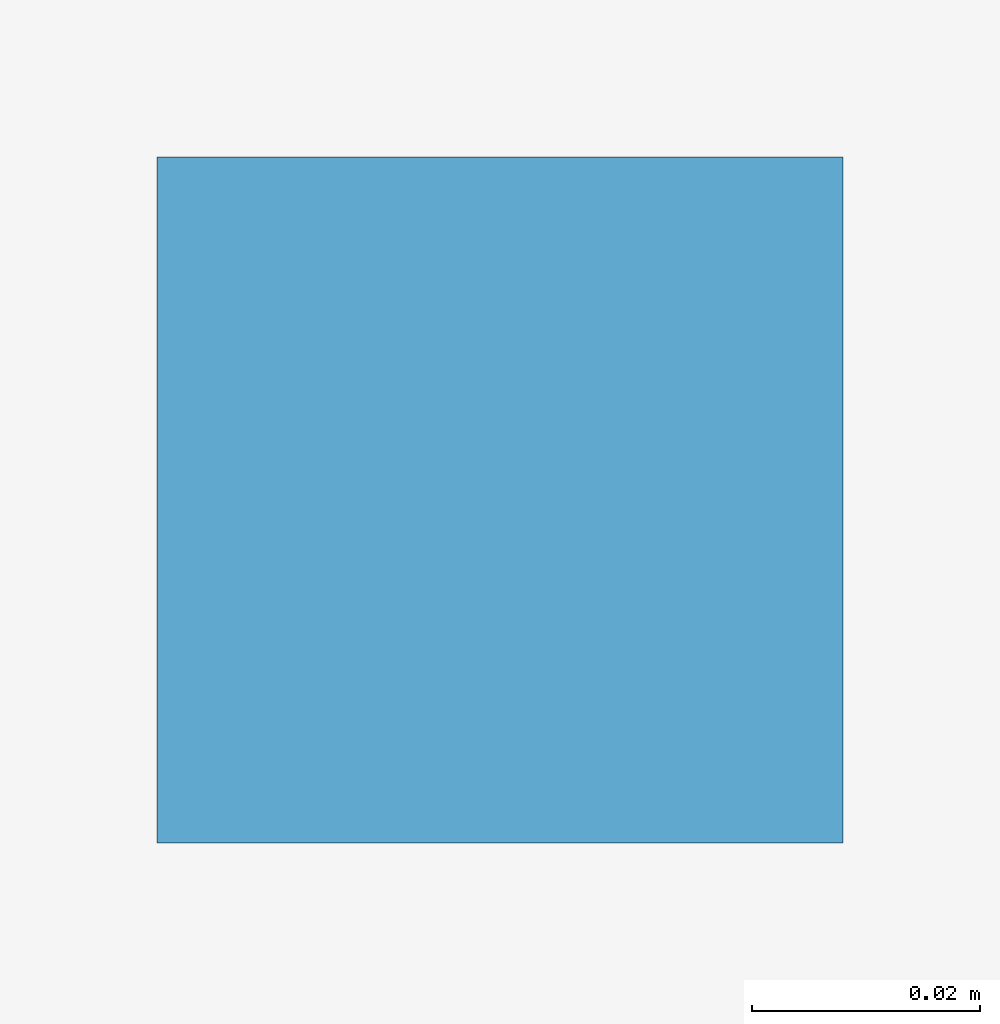
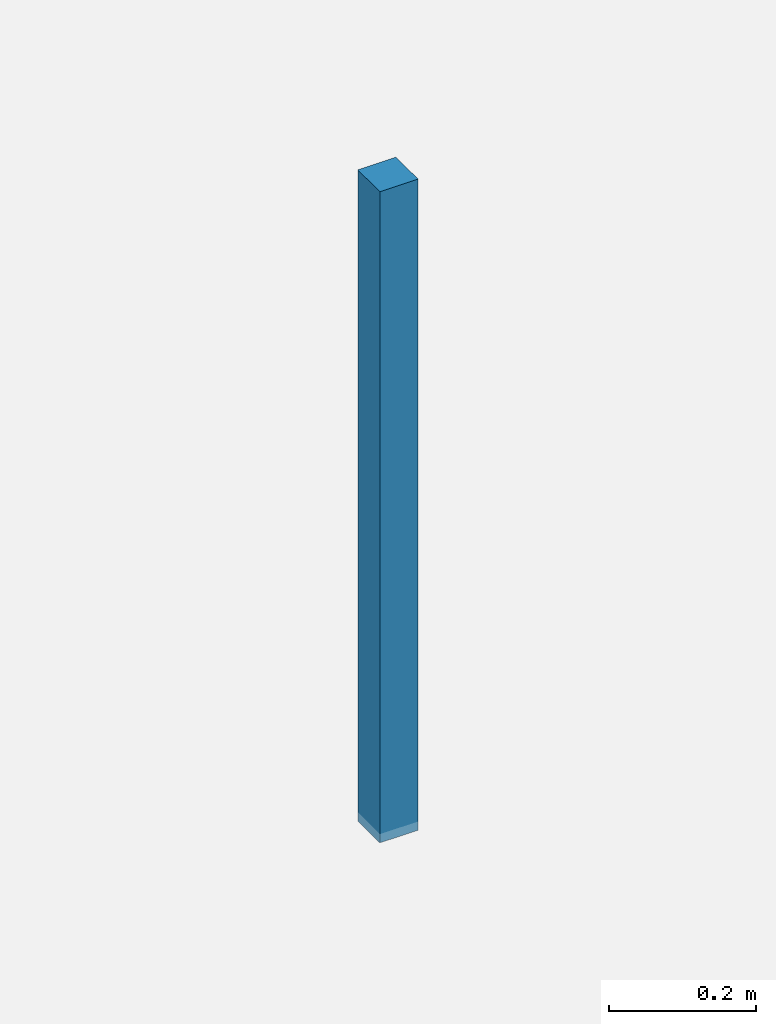
# One storey, part 77 of 91: 1 discrete accessory.
"""IFC4 building model written with IfcOpenShell, lengths in metres."""

from ifc_helpers import new_model, si_unit, direction, frame, origin, origin_2d, place, context, subcontext, project, spatial, rectangle, extrude, material, type_object, element, save


model = new_model("IFC4")

# Units and contexts
model_context = context("Model", 3, precision=1e-05, world=origin(), true_north=direction((0.0, 1.0)))
body_context = subcontext(model_context, "Body", "Model", "MODEL_VIEW")
ifc_project = project(units=[si_unit("LENGTHUNIT", "METRE"), si_unit("AREAUNIT", "SQUARE_METRE"), si_unit("VOLUMEUNIT", "CUBIC_METRE"), si_unit("PLANEANGLEUNIT", "RADIAN"), si_unit("MASSUNIT", "GRAM", prefix="KILO")], contexts=[model_context])

# Site, building, storey
site_placement = place(None, origin())
site = spatial("IfcSite", under=ifc_project, at=site_placement, CompositionType="ELEMENT")
building_placement = place(site_placement, origin())
building = spatial("IfcBuilding", under=site, at=building_placement, Name="Kangsadwip Square Police Headquarters", CompositionType="ELEMENT")
storey_placement = place(building_placement, frame((0.0, 0.0, 13.5)))
storey = spatial("IfcBuildingStorey", under=building, at=storey_placement, Name="L03", CompositionType="ELEMENT", Elevation=13.5)

# Discrete accessory
ifc_material = material(Name="Structural steel IS 2062 E350 (Grade 350, 350 MPa)", Category="steel")
discrete_accessory_type = type_object("IfcDiscreteAccessoryType", Name="VeilOutriggerBracket", PredefinedType="BRACKET", material=ifc_material)
discrete_accessory_placement = place(storey_placement, frame((3.64990234375, 82.800048828125, 2.81005859375), z_axis=(0.0, 0.0, 1.0), x_axis=(1.0, 0.0, 0.0)))
element("IfcDiscreteAccessory", 1, at=discrete_accessory_placement, inside=storey, type_object=discrete_accessory_type, Name="Ceiling Suspension Hanger L03-101", PredefinedType="BRACKET", context=body_context, shape_type="SweptSolid", body=[
    extrude(rectangle(XDim=0.06005859375, YDim=0.06005859375, at=origin_2d()), origin(), (0.0, 0.0, 1.0), 1.080078125),
])

save(model, "model.ifc")
